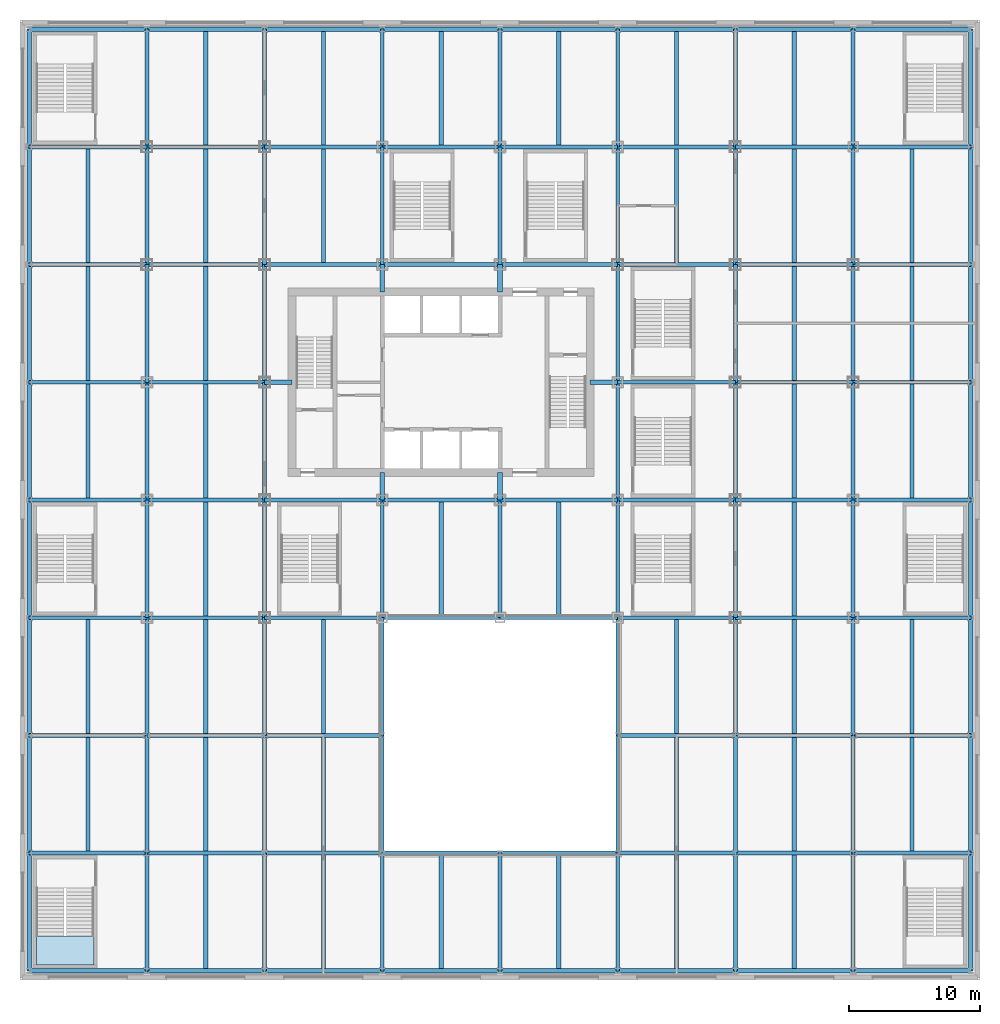
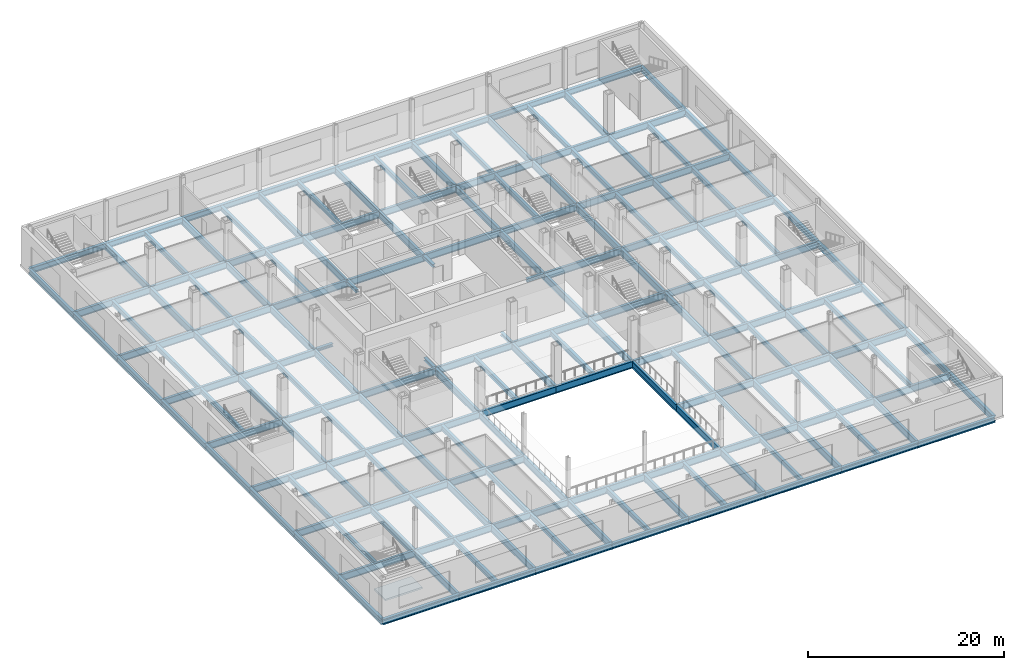
# One storey, part 9 of 31: 175 beams, 6 members, 1 slab, 1 element without a shape of its own.
"""IFC4 building model written with IfcOpenShell, lengths in metres."""

from ifc_helpers import new_model, si_unit, direction, frame, origin, origin_2d, place, context, subcontext, project, spatial, polyline, i_section, outline, extrude, material, layer, layer_set, material_profile, profile_set, type_object, element, aggregate, save


model = new_model("IFC4")

# Units and contexts
model_context = context("Model", 3, precision=1e-05, world=origin(), true_north=direction((0.0, 1.0)))
body_context = subcontext(model_context, "Body", "Model", "MODEL_VIEW")
ifc_project = project(units=[si_unit("LENGTHUNIT", "METRE"), si_unit("AREAUNIT", "SQUARE_METRE"), si_unit("VOLUMEUNIT", "CUBIC_METRE"), si_unit("PLANEANGLEUNIT", "RADIAN"), si_unit("MASSUNIT", "GRAM", prefix="KILO")], contexts=[model_context])

# Site, building, storey
site_placement = place(None, origin())
site = spatial("IfcSite", under=ifc_project, at=site_placement, CompositionType="ELEMENT")
building_placement = place(site_placement, origin())
building = spatial("IfcBuilding", under=site, at=building_placement, Name="Loomwork Tower", CompositionType="ELEMENT")
storey_placement = place(building_placement, frame((0.0, 0.0, 11.0)))
storey = spatial("IfcBuildingStorey", under=building, at=storey_placement, Name="L02", CompositionType="ELEMENT", Elevation=11.0)

# Members
ifc_material_1 = material(Name="Steel ASTM A992", Category="steel")
ifc_material_profile_1 = material_profile(ifc_material_1, i_section(OverallWidth=0.373291015625, OverallDepth=0.373291015625, WebThickness=0.016357421875, FlangeThickness=0.026123046875, at=origin_2d()), Name="W14x132")
ifc_profile_set_1 = profile_set([ifc_material_profile_1], Name="Steel ASTM A992")
member_type = type_object("IfcMemberType", Name="CORE LINK STRUT W14x132", PredefinedType="STRUT", material=ifc_profile_set_1)
for number, where, z_axis, x_axis, name in (
    (1, (36.0, 18.0, -0.436767578125), (-1.0, 0.0, 0.0), (0.0, -1.0, 0.0), "Core link strut F/6-33.900,18.000 L02"),
    (2, (18.0, 9.0, -0.436767578125), (0.0, 1.0, 0.0), (-1.0, 0.0, 0.0), "Core link strut E/4-18.000,11.100 L02"),
    (3, (18.0, 27.0, -0.436767578125), (0.0, -1.0, 0.0), (1.0, 0.0, 0.0), "Core link strut G/4-18.000,24.900 L02"),
    (4, (9.0, 18.0, -0.436767578125), (1.0, 0.0, 0.0), (0.0, 1.0, 0.0), "Core link strut F/3-11.100,18.000 L02"),
    (5, (27.0, 9.0, -0.436767578125), (0.0, 1.0, 0.0), (-1.0, 0.0, 0.0), "Core link strut E/5-27.000,11.100 L02"),
    (6, (27.0, 27.0, -0.436767578125), (0.0, -1.0, 0.0), (1.0, 0.0, 0.0), "Core link strut G/5-27.000,24.900 L02"),
):
    element("IfcMember", number, at=place(storey_placement, frame(where, z_axis=z_axis, x_axis=x_axis)), inside=storey, type_object=member_type, Name=name, PredefinedType="STRUT", context=body_context, shape_type="SweptSolid", body=[
        extrude(i_section(OverallWidth=0.373291015625, OverallDepth=0.373291015625, WebThickness=0.016357421875, FlangeThickness=0.026123046875, at=origin_2d()), origin(), (0.0, 0.0, 1.0), 2.10009765625),
    ])

# Beams
ifc_material_2 = material(Name="Steel ASTM A992", Category="steel")
ifc_material_profile_2 = material_profile(ifc_material_2, i_section(OverallWidth=0.355712890625, OverallDepth=0.696044921875, WebThickness=0.015380859375, FlangeThickness=0.024658203125, at=origin_2d()), Name="W27x146")
ifc_profile_set_2 = profile_set([ifc_material_profile_2], Name="Steel ASTM A992")
beam_type_1 = type_object("IfcBeamType", Name="EDGE GIRDER W27x146", PredefinedType="BEAM", material=ifc_profile_set_2)
for number, where, z_axis, x_axis, name in (
    (7, (-9.0, -27.0, -0.597900390625), (1.0, 0.0, 0.0), (0.0, 1.0, 0.0), "Edge Girder A/1-A/2 L02"),
    (8, (0.0, -27.0, -0.597900390625), (1.0, 0.0, 0.0), (0.0, 1.0, 0.0), "Edge Girder A/2-A/3 L02"),
    (9, (9.0, -27.0, -0.597900390625), (1.0, 0.0, 0.0), (0.0, 1.0, 0.0), "Edge Girder A/3-A/4 L02"),
    (10, (18.0, -27.0, -0.597900390625), (1.0, 0.0, 0.0), (0.0, 1.0, 0.0), "Edge Girder A/4-A/5 L02"),
    (11, (27.0, -27.0, -0.597900390625), (1.0, 0.0, 0.0), (0.0, 1.0, 0.0), "Edge Girder A/5-A/6 L02"),
    (12, (36.0, -27.0, -0.597900390625), (1.0, 0.0, 0.0), (0.0, 1.0, 0.0), "Edge Girder A/6-A/7 L02"),
    (13, (45.0, -27.0, -0.597900390625), (1.0, 0.0, 0.0), (0.0, 1.0, 0.0), "Edge Girder A/7-A/8 L02"),
    (14, (54.0, -27.0, -0.597900390625), (1.0, 0.0, 0.0), (0.0, 1.0, 0.0), "Edge Girder A/8-A/9 L02"),
    (15, (-9.0, 45.0, -0.597900390625), (1.0, 0.0, 0.0), (0.0, 1.0, 0.0), "Edge Girder J/1-J/2 L02"),
    (16, (0.0, 45.0, -0.597900390625), (1.0, 0.0, 0.0), (0.0, 1.0, 0.0), "Edge Girder J/2-J/3 L02"),
    (17, (9.0, 45.0, -0.597900390625), (1.0, 0.0, 0.0), (0.0, 1.0, 0.0), "Edge Girder J/3-J/4 L02"),
    (18, (18.0, 45.0, -0.597900390625), (1.0, 0.0, 0.0), (0.0, 1.0, 0.0), "Edge Girder J/4-J/5 L02"),
    (19, (27.0, 45.0, -0.597900390625), (1.0, 0.0, 0.0), (0.0, 1.0, 0.0), "Edge Girder J/5-J/6 L02"),
    (20, (36.0, 45.0, -0.597900390625), (1.0, 0.0, 0.0), (0.0, 1.0, 0.0), "Edge Girder J/6-J/7 L02"),
    (21, (45.0, 45.0, -0.597900390625), (1.0, 0.0, 0.0), (0.0, 1.0, 0.0), "Edge Girder J/7-J/8 L02"),
    (22, (54.0, 45.0, -0.597900390625), (1.0, 0.0, 0.0), (0.0, 1.0, 0.0), "Edge Girder J/8-J/9 L02"),
    (23, (-9.0, -27.0, -0.597900390625), (0.0, 1.0, 0.0), (-1.0, 0.0, 0.0), "Edge Girder A/1-B/1 L02"),
    (24, (-9.0, -18.0, -0.597900390625), (0.0, 1.0, 0.0), (-1.0, 0.0, 0.0), "Edge Girder B/1-C/1 L02"),
    (25, (-9.0, -9.0, -0.597900390625), (0.0, 1.0, 0.0), (-1.0, 0.0, 0.0), "Edge Girder C/1-D/1 L02"),
    (26, (-9.0, 0.0, -0.597900390625), (0.0, 1.0, 0.0), (-1.0, 0.0, 0.0), "Edge Girder D/1-E/1 L02"),
    (27, (-9.0, 9.0, -0.597900390625), (0.0, 1.0, 0.0), (-1.0, 0.0, 0.0), "Edge Girder E/1-F/1 L02"),
    (28, (-9.0, 18.0, -0.597900390625), (0.0, 1.0, 0.0), (-1.0, 0.0, 0.0), "Edge Girder F/1-G/1 L02"),
    (29, (-9.0, 27.0, -0.597900390625), (0.0, 1.0, 0.0), (-1.0, 0.0, 0.0), "Edge Girder G/1-H/1 L02"),
    (30, (-9.0, 36.0, -0.597900390625), (0.0, 1.0, 0.0), (-1.0, 0.0, 0.0), "Edge Girder H/1-J/1 L02"),
    (31, (63.0, -27.0, -0.597900390625), (0.0, 1.0, 0.0), (-1.0, 0.0, 0.0), "Edge Girder A/9-B/9 L02"),
    (32, (63.0, -18.0, -0.597900390625), (0.0, 1.0, 0.0), (-1.0, 0.0, 0.0), "Edge Girder B/9-C/9 L02"),
    (33, (63.0, -9.0, -0.597900390625), (0.0, 1.0, 0.0), (-1.0, 0.0, 0.0), "Edge Girder C/9-D/9 L02"),
    (34, (63.0, 0.0, -0.597900390625), (0.0, 1.0, 0.0), (-1.0, 0.0, 0.0), "Edge Girder D/9-E/9 L02"),
    (35, (63.0, 9.0, -0.597900390625), (0.0, 1.0, 0.0), (-1.0, 0.0, 0.0), "Edge Girder E/9-F/9 L02"),
    (36, (63.0, 18.0, -0.597900390625), (0.0, 1.0, 0.0), (-1.0, 0.0, 0.0), "Edge Girder F/9-G/9 L02"),
    (37, (63.0, 27.0, -0.597900390625), (0.0, 1.0, 0.0), (-1.0, 0.0, 0.0), "Edge Girder G/9-H/9 L02"),
    (38, (63.0, 36.0, -0.597900390625), (0.0, 1.0, 0.0), (-1.0, 0.0, 0.0), "Edge Girder H/9-J/9 L02"),
):
    element("IfcBeam", number, at=place(storey_placement, frame(where, z_axis=z_axis, x_axis=x_axis)), inside=storey, type_object=beam_type_1, Name=name, PredefinedType="BEAM", context=body_context, shape_type="SweptSolid", body=[
        extrude(i_section(OverallWidth=0.355712890625, OverallDepth=0.696044921875, WebThickness=0.015380859375, FlangeThickness=0.024658203125, at=origin_2d()), origin(), (0.0, 0.0, 1.0), 9.0),
    ])
ifc_material_3 = material(Name="Steel ASTM A992", Category="steel")
ifc_material_profile_3 = material_profile(ifc_material_3, i_section(OverallWidth=0.3251953125, OverallDepth=0.612060546875, WebThickness=0.0126953125, FlangeThickness=0.01904296875, at=origin_2d()), Name="W24x104")
ifc_profile_set_3 = profile_set([ifc_material_profile_3], Name="Steel ASTM A992")
beam_type_2 = type_object("IfcBeamType", Name="FLOOR JOIST W24x104", PredefinedType="JOIST", material=ifc_profile_set_3)
for number, where, z_axis, x_axis, name in (
    (39, (-4.5, -17.85400390625, -0.55615234375), (0.0, 1.0, 0.0), (-1.0, 0.0, 0.0), "Floor Joist -4.500,-18.000--4.500,-9.000 L02"),
    (40, (-4.5, -8.85400390625, -0.55615234375), (0.0, 1.0, 0.0), (-1.0, 0.0, 0.0), "Floor Joist -4.500,-9.000--4.500,0.000 L02"),
    (41, (-4.5, 9.14599609375, -0.55615234375), (0.0, 1.0, 0.0), (-1.0, 0.0, 0.0), "Floor Joist -4.500,9.000--4.500,18.000 L02"),
    (42, (-4.5, 18.14599609375, -0.55615234375), (0.0, 1.0, 0.0), (-1.0, 0.0, 0.0), "Floor Joist -4.500,18.000--4.500,27.000 L02"),
    (43, (-4.5, 27.14599609375, -0.55615234375), (0.0, 1.0, 0.0), (-1.0, 0.0, 0.0), "Floor Joist -4.500,27.000--4.500,36.000 L02"),
):
    element("IfcBeam", number, at=place(storey_placement, frame(where, z_axis=z_axis, x_axis=x_axis)), inside=storey, type_object=beam_type_2, Name=name, PredefinedType="JOIST", context=body_context, shape_type="SweptSolid", body=[
        extrude(i_section(OverallWidth=0.3251953125, OverallDepth=0.612060546875, WebThickness=0.0126953125, FlangeThickness=0.01904296875, at=origin_2d()), origin(), (0.0, 0.0, 1.0), 8.7080078125),
    ])
beam_1_placement = place(storey_placement, frame((4.5, -26.822998046875, -0.55615234375), z_axis=(0.0, 1.0, 0.0), x_axis=(-1.0, 0.0, 0.0)))
element("IfcBeam", 44, at=beam_1_placement, inside=storey, type_object=beam_type_2, Name="Floor Joist 4.500,-27.000-4.500,-18.000 L02", PredefinedType="JOIST", context=body_context, shape_type="SweptSolid", body=[
    extrude(i_section(OverallWidth=0.3251953125, OverallDepth=0.612060546875, WebThickness=0.0126953125, FlangeThickness=0.01904296875, at=origin_2d()), origin(), (0.0, 0.0, 1.0), 8.677001953125),
])
for number, where, z_axis, x_axis, name in (
    (45, (4.5, -17.85400390625, -0.55615234375), (0.0, 1.0, 0.0), (-1.0, 0.0, 0.0), "Floor Joist 4.500,-18.000-4.500,-9.000 L02"),
    (46, (4.5, -8.85400390625, -0.55615234375), (0.0, 1.0, 0.0), (-1.0, 0.0, 0.0), "Floor Joist 4.500,-9.000-4.500,0.000 L02"),
    (47, (4.5, 0.14599609375, -0.55615234375), (0.0, 1.0, 0.0), (-1.0, 0.0, 0.0), "Floor Joist 4.500,0.000-4.500,9.000 L02"),
    (48, (4.5, 9.14599609375, -0.55615234375), (0.0, 1.0, 0.0), (-1.0, 0.0, 0.0), "Floor Joist 4.500,9.000-4.500,18.000 L02"),
    (49, (4.5, 18.14599609375, -0.55615234375), (0.0, 1.0, 0.0), (-1.0, 0.0, 0.0), "Floor Joist 4.500,18.000-4.500,27.000 L02"),
    (50, (4.5, 27.14599609375, -0.55615234375), (0.0, 1.0, 0.0), (-1.0, 0.0, 0.0), "Floor Joist 4.500,27.000-4.500,36.000 L02"),
):
    element("IfcBeam", number, at=place(storey_placement, frame(where, z_axis=z_axis, x_axis=x_axis)), inside=storey, type_object=beam_type_2, Name=name, PredefinedType="JOIST", context=body_context, shape_type="SweptSolid", body=[
        extrude(i_section(OverallWidth=0.3251953125, OverallDepth=0.612060546875, WebThickness=0.0126953125, FlangeThickness=0.01904296875, at=origin_2d()), origin(), (0.0, 0.0, 1.0), 8.7080078125),
    ])
for number, where, z_axis, x_axis, name in (
    (51, (4.5, 36.14599609375, -0.55615234375), (0.0, 1.0, 0.0), (-1.0, 0.0, 0.0), "Floor Joist 4.500,36.000-4.500,45.000 L02"),
    (52, (13.5, -26.822998046875, -0.55615234375), (0.0, 1.0, 0.0), (-1.0, 0.0, 0.0), "Floor Joist 13.500,-27.000-13.500,-18.000 L02"),
):
    element("IfcBeam", number, at=place(storey_placement, frame(where, z_axis=z_axis, x_axis=x_axis)), inside=storey, type_object=beam_type_2, Name=name, PredefinedType="JOIST", context=body_context, shape_type="SweptSolid", body=[
        extrude(i_section(OverallWidth=0.3251953125, OverallDepth=0.612060546875, WebThickness=0.0126953125, FlangeThickness=0.01904296875, at=origin_2d()), origin(), (0.0, 0.0, 1.0), 8.677001953125),
    ])
for number, where, z_axis, x_axis, name in (
    (53, (13.5, -17.85400390625, -0.55615234375), (0.0, 1.0, 0.0), (-1.0, 0.0, 0.0), "Floor Joist 13.500,-18.000-13.500,-9.000 L02"),
    (54, (13.5, -8.85400390625, -0.55615234375), (0.0, 1.0, 0.0), (-1.0, 0.0, 0.0), "Floor Joist 13.500,-9.000-13.500,0.000 L02"),
    (55, (13.5, 27.14599609375, -0.55615234375), (0.0, 1.0, 0.0), (-1.0, 0.0, 0.0), "Floor Joist 13.500,27.000-13.500,36.000 L02"),
):
    element("IfcBeam", number, at=place(storey_placement, frame(where, z_axis=z_axis, x_axis=x_axis)), inside=storey, type_object=beam_type_2, Name=name, PredefinedType="JOIST", context=body_context, shape_type="SweptSolid", body=[
        extrude(i_section(OverallWidth=0.3251953125, OverallDepth=0.612060546875, WebThickness=0.0126953125, FlangeThickness=0.01904296875, at=origin_2d()), origin(), (0.0, 0.0, 1.0), 8.7080078125),
    ])
for number, where, z_axis, x_axis, name in (
    (56, (13.5, 36.14599609375, -0.55615234375), (0.0, 1.0, 0.0), (-1.0, 0.0, 0.0), "Floor Joist 13.500,36.000-13.500,45.000 L02"),
    (57, (22.5, -26.822998046875, -0.55615234375), (0.0, 1.0, 0.0), (-1.0, 0.0, 0.0), "Floor Joist 22.500,-27.000-22.500,-18.000 L02"),
):
    element("IfcBeam", number, at=place(storey_placement, frame(where, z_axis=z_axis, x_axis=x_axis)), inside=storey, type_object=beam_type_2, Name=name, PredefinedType="JOIST", context=body_context, shape_type="SweptSolid", body=[
        extrude(i_section(OverallWidth=0.3251953125, OverallDepth=0.612060546875, WebThickness=0.0126953125, FlangeThickness=0.01904296875, at=origin_2d()), origin(), (0.0, 0.0, 1.0), 8.677001953125),
    ])
beam_2_placement = place(storey_placement, frame((22.5, 0.14599609375, -0.55615234375), z_axis=(0.0, 1.0, 0.0), x_axis=(-1.0, 0.0, 0.0)))
element("IfcBeam", 58, at=beam_2_placement, inside=storey, type_object=beam_type_2, Name="Floor Joist 22.500,0.000-22.500,9.000 L02", PredefinedType="JOIST", context=body_context, shape_type="SweptSolid", body=[
    extrude(i_section(OverallWidth=0.3251953125, OverallDepth=0.612060546875, WebThickness=0.0126953125, FlangeThickness=0.01904296875, at=origin_2d()), origin(), (0.0, 0.0, 1.0), 8.7080078125),
])
for number, where, z_axis, x_axis, name in (
    (59, (22.5, 36.14599609375, -0.55615234375), (0.0, 1.0, 0.0), (-1.0, 0.0, 0.0), "Floor Joist 22.500,36.000-22.500,45.000 L02"),
    (60, (31.5, -26.822998046875, -0.55615234375), (0.0, 1.0, 0.0), (-1.0, 0.0, 0.0), "Floor Joist 31.500,-27.000-31.500,-18.000 L02"),
):
    element("IfcBeam", number, at=place(storey_placement, frame(where, z_axis=z_axis, x_axis=x_axis)), inside=storey, type_object=beam_type_2, Name=name, PredefinedType="JOIST", context=body_context, shape_type="SweptSolid", body=[
        extrude(i_section(OverallWidth=0.3251953125, OverallDepth=0.612060546875, WebThickness=0.0126953125, FlangeThickness=0.01904296875, at=origin_2d()), origin(), (0.0, 0.0, 1.0), 8.677001953125),
    ])
beam_3_placement = place(storey_placement, frame((31.5, 0.14599609375, -0.55615234375), z_axis=(0.0, 1.0, 0.0), x_axis=(-1.0, 0.0, 0.0)))
element("IfcBeam", 61, at=beam_3_placement, inside=storey, type_object=beam_type_2, Name="Floor Joist 31.500,0.000-31.500,9.000 L02", PredefinedType="JOIST", context=body_context, shape_type="SweptSolid", body=[
    extrude(i_section(OverallWidth=0.3251953125, OverallDepth=0.612060546875, WebThickness=0.0126953125, FlangeThickness=0.01904296875, at=origin_2d()), origin(), (0.0, 0.0, 1.0), 8.7080078125),
])
for number, where, z_axis, x_axis, name in (
    (62, (31.5, 36.14599609375, -0.55615234375), (0.0, 1.0, 0.0), (-1.0, 0.0, 0.0), "Floor Joist 31.500,36.000-31.500,45.000 L02"),
    (63, (40.5, -26.822998046875, -0.55615234375), (0.0, 1.0, 0.0), (-1.0, 0.0, 0.0), "Floor Joist 40.500,-27.000-40.500,-18.000 L02"),
):
    element("IfcBeam", number, at=place(storey_placement, frame(where, z_axis=z_axis, x_axis=x_axis)), inside=storey, type_object=beam_type_2, Name=name, PredefinedType="JOIST", context=body_context, shape_type="SweptSolid", body=[
        extrude(i_section(OverallWidth=0.3251953125, OverallDepth=0.612060546875, WebThickness=0.0126953125, FlangeThickness=0.01904296875, at=origin_2d()), origin(), (0.0, 0.0, 1.0), 8.677001953125),
    ])
for number, where, z_axis, x_axis, name in (
    (64, (40.5, -17.85400390625, -0.55615234375), (0.0, 1.0, 0.0), (-1.0, 0.0, 0.0), "Floor Joist 40.500,-18.000-40.500,-9.000 L02"),
    (65, (40.5, -8.85400390625, -0.55615234375), (0.0, 1.0, 0.0), (-1.0, 0.0, 0.0), "Floor Joist 40.500,-9.000-40.500,0.000 L02"),
    (66, (40.5, 27.14599609375, -0.55615234375), (0.0, 1.0, 0.0), (-1.0, 0.0, 0.0), "Floor Joist 40.500,27.000-40.500,36.000 L02"),
):
    element("IfcBeam", number, at=place(storey_placement, frame(where, z_axis=z_axis, x_axis=x_axis)), inside=storey, type_object=beam_type_2, Name=name, PredefinedType="JOIST", context=body_context, shape_type="SweptSolid", body=[
        extrude(i_section(OverallWidth=0.3251953125, OverallDepth=0.612060546875, WebThickness=0.0126953125, FlangeThickness=0.01904296875, at=origin_2d()), origin(), (0.0, 0.0, 1.0), 8.7080078125),
    ])
for number, where, z_axis, x_axis, name in (
    (67, (40.5, 36.14599609375, -0.55615234375), (0.0, 1.0, 0.0), (-1.0, 0.0, 0.0), "Floor Joist 40.500,36.000-40.500,45.000 L02"),
    (68, (49.5, -26.822998046875, -0.55615234375), (0.0, 1.0, 0.0), (-1.0, 0.0, 0.0), "Floor Joist 49.500,-27.000-49.500,-18.000 L02"),
):
    element("IfcBeam", number, at=place(storey_placement, frame(where, z_axis=z_axis, x_axis=x_axis)), inside=storey, type_object=beam_type_2, Name=name, PredefinedType="JOIST", context=body_context, shape_type="SweptSolid", body=[
        extrude(i_section(OverallWidth=0.3251953125, OverallDepth=0.612060546875, WebThickness=0.0126953125, FlangeThickness=0.01904296875, at=origin_2d()), origin(), (0.0, 0.0, 1.0), 8.677001953125),
    ])
for number, where, z_axis, x_axis, name in (
    (69, (49.5, -17.85400390625, -0.55615234375), (0.0, 1.0, 0.0), (-1.0, 0.0, 0.0), "Floor Joist 49.500,-18.000-49.500,-9.000 L02"),
    (70, (49.5, -8.85400390625, -0.55615234375), (0.0, 1.0, 0.0), (-1.0, 0.0, 0.0), "Floor Joist 49.500,-9.000-49.500,0.000 L02"),
    (71, (49.5, 0.14599609375, -0.55615234375), (0.0, 1.0, 0.0), (-1.0, 0.0, 0.0), "Floor Joist 49.500,0.000-49.500,9.000 L02"),
    (72, (49.5, 9.14599609375, -0.55615234375), (0.0, 1.0, 0.0), (-1.0, 0.0, 0.0), "Floor Joist 49.500,9.000-49.500,18.000 L02"),
    (73, (49.5, 18.14599609375, -0.55615234375), (0.0, 1.0, 0.0), (-1.0, 0.0, 0.0), "Floor Joist 49.500,18.000-49.500,27.000 L02"),
    (74, (49.5, 27.14599609375, -0.55615234375), (0.0, 1.0, 0.0), (-1.0, 0.0, 0.0), "Floor Joist 49.500,27.000-49.500,36.000 L02"),
):
    element("IfcBeam", number, at=place(storey_placement, frame(where, z_axis=z_axis, x_axis=x_axis)), inside=storey, type_object=beam_type_2, Name=name, PredefinedType="JOIST", context=body_context, shape_type="SweptSolid", body=[
        extrude(i_section(OverallWidth=0.3251953125, OverallDepth=0.612060546875, WebThickness=0.0126953125, FlangeThickness=0.01904296875, at=origin_2d()), origin(), (0.0, 0.0, 1.0), 8.7080078125),
    ])
beam_4_placement = place(storey_placement, frame((49.5, 36.14599609375, -0.55615234375), z_axis=(0.0, 1.0, 0.0), x_axis=(-1.0, 0.0, 0.0)))
element("IfcBeam", 75, at=beam_4_placement, inside=storey, type_object=beam_type_2, Name="Floor Joist 49.500,36.000-49.500,45.000 L02", PredefinedType="JOIST", context=body_context, shape_type="SweptSolid", body=[
    extrude(i_section(OverallWidth=0.3251953125, OverallDepth=0.612060546875, WebThickness=0.0126953125, FlangeThickness=0.01904296875, at=origin_2d()), origin(), (0.0, 0.0, 1.0), 8.677001953125),
])
for number, where, z_axis, x_axis, name in (
    (76, (58.5, -17.85400390625, -0.55615234375), (0.0, 1.0, 0.0), (-1.0, 0.0, 0.0), "Floor Joist 58.500,-18.000-58.500,-9.000 L02"),
    (77, (58.5, -8.85400390625, -0.55615234375), (0.0, 1.0, 0.0), (-1.0, 0.0, 0.0), "Floor Joist 58.500,-9.000-58.500,0.000 L02"),
    (78, (58.5, 9.14599609375, -0.55615234375), (0.0, 1.0, 0.0), (-1.0, 0.0, 0.0), "Floor Joist 58.500,9.000-58.500,18.000 L02"),
    (79, (58.5, 18.14599609375, -0.55615234375), (0.0, 1.0, 0.0), (-1.0, 0.0, 0.0), "Floor Joist 58.500,18.000-58.500,27.000 L02"),
    (80, (58.5, 27.14599609375, -0.55615234375), (0.0, 1.0, 0.0), (-1.0, 0.0, 0.0), "Floor Joist 58.500,27.000-58.500,36.000 L02"),
):
    element("IfcBeam", number, at=place(storey_placement, frame(where, z_axis=z_axis, x_axis=x_axis)), inside=storey, type_object=beam_type_2, Name=name, PredefinedType="JOIST", context=body_context, shape_type="SweptSolid", body=[
        extrude(i_section(OverallWidth=0.3251953125, OverallDepth=0.612060546875, WebThickness=0.0126953125, FlangeThickness=0.01904296875, at=origin_2d()), origin(), (0.0, 0.0, 1.0), 8.7080078125),
    ])
ifc_material_4 = material(Name="Steel ASTM A992", Category="steel")
ifc_material_profile_4 = material_profile(ifc_material_4, i_section(OverallWidth=0.2919921875, OverallDepth=0.8583984375, WebThickness=0.01708984375, FlangeThickness=0.031005859375, at=origin_2d()), Name="W33x169")
ifc_profile_set_4 = profile_set([ifc_material_profile_4], Name="Steel ASTM A992")
beam_type_3 = type_object("IfcBeamType", Name="PODIUM GIRDER W33x169", PredefinedType="BEAM", material=ifc_profile_set_4)
for number, where, z_axis, x_axis, name in (
    (81, (-9.0, -18.0, -0.67919921875), (1.0, 0.0, 0.0), (0.0, 1.0, 0.0), "Podium Girder B/1-B/2 L02"),
    (82, (0.0, -18.0, -0.67919921875), (1.0, 0.0, 0.0), (0.0, 1.0, 0.0), "Podium Girder B/2-B/3 L02"),
    (83, (9.0, -18.0, -0.67919921875), (1.0, 0.0, 0.0), (0.0, 1.0, 0.0), "Podium Girder B/3-B/4 L02"),
    (84, (18.0, -18.0, -0.67919921875), (1.0, 0.0, 0.0), (0.0, 1.0, 0.0), "Podium Girder B/4-B/5 L02"),
    (85, (27.0, -18.0, -0.67919921875), (1.0, 0.0, 0.0), (0.0, 1.0, 0.0), "Podium Girder B/5-B/6 L02"),
    (86, (36.0, -18.0, -0.67919921875), (1.0, 0.0, 0.0), (0.0, 1.0, 0.0), "Podium Girder B/6-B/7 L02"),
    (87, (45.0, -18.0, -0.67919921875), (1.0, 0.0, 0.0), (0.0, 1.0, 0.0), "Podium Girder B/7-B/8 L02"),
    (88, (54.0, -18.0, -0.67919921875), (1.0, 0.0, 0.0), (0.0, 1.0, 0.0), "Podium Girder B/8-B/9 L02"),
    (89, (-9.0, -9.0, -0.67919921875), (1.0, 0.0, 0.0), (0.0, 1.0, 0.0), "Podium Girder C/1-C/2 L02"),
    (90, (0.0, -9.0, -0.67919921875), (1.0, 0.0, 0.0), (0.0, 1.0, 0.0), "Podium Girder C/2-C/3 L02"),
    (91, (9.0, -9.0, -0.67919921875), (1.0, 0.0, 0.0), (0.0, 1.0, 0.0), "Podium Girder C/3-C/4 L02"),
    (92, (36.0, -9.0, -0.67919921875), (1.0, 0.0, 0.0), (0.0, 1.0, 0.0), "Podium Girder C/6-C/7 L02"),
    (93, (45.0, -9.0, -0.67919921875), (1.0, 0.0, 0.0), (0.0, 1.0, 0.0), "Podium Girder C/7-C/8 L02"),
    (94, (54.0, -9.0, -0.67919921875), (1.0, 0.0, 0.0), (0.0, 1.0, 0.0), "Podium Girder C/8-C/9 L02"),
    (95, (-9.0, 0.0, -0.67919921875), (1.0, 0.0, 0.0), (0.0, 1.0, 0.0), "Podium Girder D/1-D/2 L02"),
    (96, (0.0, 0.0, -0.67919921875), (1.0, 0.0, 0.0), (0.0, 1.0, 0.0), "Podium Girder D/2-D/3 L02"),
    (97, (9.0, 0.0, -0.67919921875), (1.0, 0.0, 0.0), (0.0, 1.0, 0.0), "Podium Girder D/3-D/4 L02"),
    (98, (18.0, 0.0, -0.67919921875), (1.0, 0.0, 0.0), (0.0, 1.0, 0.0), "Podium Girder D/4-D/5 L02"),
    (99, (27.0, 0.0, -0.67919921875), (1.0, 0.0, 0.0), (0.0, 1.0, 0.0), "Podium Girder D/5-D/6 L02"),
    (100, (36.0, 0.0, -0.67919921875), (1.0, 0.0, 0.0), (0.0, 1.0, 0.0), "Podium Girder D/6-D/7 L02"),
    (101, (45.0, 0.0, -0.67919921875), (1.0, 0.0, 0.0), (0.0, 1.0, 0.0), "Podium Girder D/7-D/8 L02"),
    (102, (54.0, 0.0, -0.67919921875), (1.0, 0.0, 0.0), (0.0, 1.0, 0.0), "Podium Girder D/8-D/9 L02"),
    (103, (-9.0, 9.0, -0.67919921875), (1.0, 0.0, 0.0), (0.0, 1.0, 0.0), "Podium Girder E/1-E/2 L02"),
    (104, (0.0, 9.0, -0.67919921875), (1.0, 0.0, 0.0), (0.0, 1.0, 0.0), "Podium Girder E/2-E/3 L02"),
    (105, (9.0, 9.0, -0.67919921875), (1.0, 0.0, 0.0), (0.0, 1.0, 0.0), "Podium Girder E/3-E/4 L02"),
    (106, (18.0, 9.0, -0.67919921875), (1.0, 0.0, 0.0), (0.0, 1.0, 0.0), "Podium Girder E/4-E/5 L02"),
    (107, (27.0, 9.0, -0.67919921875), (1.0, 0.0, 0.0), (0.0, 1.0, 0.0), "Podium Girder E/5-E/6 L02"),
    (108, (36.0, 9.0, -0.67919921875), (1.0, 0.0, 0.0), (0.0, 1.0, 0.0), "Podium Girder E/6-E/7 L02"),
    (109, (45.0, 9.0, -0.67919921875), (1.0, 0.0, 0.0), (0.0, 1.0, 0.0), "Podium Girder E/7-E/8 L02"),
    (110, (54.0, 9.0, -0.67919921875), (1.0, 0.0, 0.0), (0.0, 1.0, 0.0), "Podium Girder E/8-E/9 L02"),
    (111, (-9.0, 18.0, -0.67919921875), (1.0, 0.0, 0.0), (0.0, 1.0, 0.0), "Podium Girder F/1-F/2 L02"),
    (112, (0.0, 18.0, -0.67919921875), (1.0, 0.0, 0.0), (0.0, 1.0, 0.0), "Podium Girder F/2-F/3 L02"),
    (113, (36.0, 18.0, -0.67919921875), (1.0, 0.0, 0.0), (0.0, 1.0, 0.0), "Podium Girder F/6-F/7 L02"),
    (114, (45.0, 18.0, -0.67919921875), (1.0, 0.0, 0.0), (0.0, 1.0, 0.0), "Podium Girder F/7-F/8 L02"),
    (115, (54.0, 18.0, -0.67919921875), (1.0, 0.0, 0.0), (0.0, 1.0, 0.0), "Podium Girder F/8-F/9 L02"),
    (116, (-9.0, 27.0, -0.67919921875), (1.0, 0.0, 0.0), (0.0, 1.0, 0.0), "Podium Girder G/1-G/2 L02"),
    (117, (0.0, 27.0, -0.67919921875), (1.0, 0.0, 0.0), (0.0, 1.0, 0.0), "Podium Girder G/2-G/3 L02"),
    (118, (9.0, 27.0, -0.67919921875), (1.0, 0.0, 0.0), (0.0, 1.0, 0.0), "Podium Girder G/3-G/4 L02"),
    (119, (18.0, 27.0, -0.67919921875), (1.0, 0.0, 0.0), (0.0, 1.0, 0.0), "Podium Girder G/4-G/5 L02"),
    (120, (27.0, 27.0, -0.67919921875), (1.0, 0.0, 0.0), (0.0, 1.0, 0.0), "Podium Girder G/5-G/6 L02"),
    (121, (36.0, 27.0, -0.67919921875), (1.0, 0.0, 0.0), (0.0, 1.0, 0.0), "Podium Girder G/6-G/7 L02"),
    (122, (45.0, 27.0, -0.67919921875), (1.0, 0.0, 0.0), (0.0, 1.0, 0.0), "Podium Girder G/7-G/8 L02"),
    (123, (54.0, 27.0, -0.67919921875), (1.0, 0.0, 0.0), (0.0, 1.0, 0.0), "Podium Girder G/8-G/9 L02"),
    (124, (-9.0, 36.0, -0.67919921875), (1.0, 0.0, 0.0), (0.0, 1.0, 0.0), "Podium Girder H/1-H/2 L02"),
    (125, (0.0, 36.0, -0.67919921875), (1.0, 0.0, 0.0), (0.0, 1.0, 0.0), "Podium Girder H/2-H/3 L02"),
    (126, (9.0, 36.0, -0.67919921875), (1.0, 0.0, 0.0), (0.0, 1.0, 0.0), "Podium Girder H/3-H/4 L02"),
    (127, (18.0, 36.0, -0.67919921875), (1.0, 0.0, 0.0), (0.0, 1.0, 0.0), "Podium Girder H/4-H/5 L02"),
    (128, (27.0, 36.0, -0.67919921875), (1.0, 0.0, 0.0), (0.0, 1.0, 0.0), "Podium Girder H/5-H/6 L02"),
    (129, (36.0, 36.0, -0.67919921875), (1.0, 0.0, 0.0), (0.0, 1.0, 0.0), "Podium Girder H/6-H/7 L02"),
    (130, (45.0, 36.0, -0.67919921875), (1.0, 0.0, 0.0), (0.0, 1.0, 0.0), "Podium Girder H/7-H/8 L02"),
    (131, (54.0, 36.0, -0.67919921875), (1.0, 0.0, 0.0), (0.0, 1.0, 0.0), "Podium Girder H/8-H/9 L02"),
    (132, (0.0, -27.0, -0.67919921875), (0.0, 1.0, 0.0), (-1.0, 0.0, 0.0), "Podium Girder A/2-B/2 L02"),
    (133, (0.0, -18.0, -0.67919921875), (0.0, 1.0, 0.0), (-1.0, 0.0, 0.0), "Podium Girder B/2-C/2 L02"),
    (134, (0.0, -9.0, -0.67919921875), (0.0, 1.0, 0.0), (-1.0, 0.0, 0.0), "Podium Girder C/2-D/2 L02"),
    (135, (0.0, 0.0, -0.67919921875), (0.0, 1.0, 0.0), (-1.0, 0.0, 0.0), "Podium Girder D/2-E/2 L02"),
    (136, (0.0, 9.0, -0.67919921875), (0.0, 1.0, 0.0), (-1.0, 0.0, 0.0), "Podium Girder E/2-F/2 L02"),
    (137, (0.0, 18.0, -0.67919921875), (0.0, 1.0, 0.0), (-1.0, 0.0, 0.0), "Podium Girder F/2-G/2 L02"),
    (138, (0.0, 27.0, -0.67919921875), (0.0, 1.0, 0.0), (-1.0, 0.0, 0.0), "Podium Girder G/2-H/2 L02"),
    (139, (0.0, 36.0, -0.67919921875), (0.0, 1.0, 0.0), (-1.0, 0.0, 0.0), "Podium Girder H/2-J/2 L02"),
    (140, (9.0, -27.0, -0.67919921875), (0.0, 1.0, 0.0), (-1.0, 0.0, 0.0), "Podium Girder A/3-B/3 L02"),
    (141, (9.0, -18.0, -0.67919921875), (0.0, 1.0, 0.0), (-1.0, 0.0, 0.0), "Podium Girder B/3-C/3 L02"),
    (142, (9.0, -9.0, -0.67919921875), (0.0, 1.0, 0.0), (-1.0, 0.0, 0.0), "Podium Girder C/3-D/3 L02"),
    (143, (9.0, 0.0, -0.67919921875), (0.0, 1.0, 0.0), (-1.0, 0.0, 0.0), "Podium Girder D/3-E/3 L02"),
    (144, (9.0, 9.0, -0.67919921875), (0.0, 1.0, 0.0), (-1.0, 0.0, 0.0), "Podium Girder E/3-F/3 L02"),
    (145, (9.0, 18.0, -0.67919921875), (0.0, 1.0, 0.0), (-1.0, 0.0, 0.0), "Podium Girder F/3-G/3 L02"),
    (146, (9.0, 27.0, -0.67919921875), (0.0, 1.0, 0.0), (-1.0, 0.0, 0.0), "Podium Girder G/3-H/3 L02"),
    (147, (9.0, 36.0, -0.67919921875), (0.0, 1.0, 0.0), (-1.0, 0.0, 0.0), "Podium Girder H/3-J/3 L02"),
    (148, (18.0, -27.0, -0.67919921875), (0.0, 1.0, 0.0), (-1.0, 0.0, 0.0), "Podium Girder A/4-B/4 L02"),
    (149, (18.0, -18.0, -0.67919921875), (0.0, 1.0, 0.0), (-1.0, 0.0, 0.0), "Podium Girder B/4-C/4 L02"),
    (150, (18.0, -9.0, -0.67919921875), (0.0, 1.0, 0.0), (-1.0, 0.0, 0.0), "Podium Girder C/4-D/4 L02"),
    (151, (18.0, 0.0, -0.67919921875), (0.0, 1.0, 0.0), (-1.0, 0.0, 0.0), "Podium Girder D/4-E/4 L02"),
    (152, (18.0, 27.0, -0.67919921875), (0.0, 1.0, 0.0), (-1.0, 0.0, 0.0), "Podium Girder G/4-H/4 L02"),
    (153, (18.0, 36.0, -0.67919921875), (0.0, 1.0, 0.0), (-1.0, 0.0, 0.0), "Podium Girder H/4-J/4 L02"),
    (154, (27.0, -27.0, -0.67919921875), (0.0, 1.0, 0.0), (-1.0, 0.0, 0.0), "Podium Girder A/5-B/5 L02"),
    (155, (27.0, 0.0, -0.67919921875), (0.0, 1.0, 0.0), (-1.0, 0.0, 0.0), "Podium Girder D/5-E/5 L02"),
    (156, (27.0, 27.0, -0.67919921875), (0.0, 1.0, 0.0), (-1.0, 0.0, 0.0), "Podium Girder G/5-H/5 L02"),
    (157, (27.0, 36.0, -0.67919921875), (0.0, 1.0, 0.0), (-1.0, 0.0, 0.0), "Podium Girder H/5-J/5 L02"),
    (158, (36.0, -27.0, -0.67919921875), (0.0, 1.0, 0.0), (-1.0, 0.0, 0.0), "Podium Girder A/6-B/6 L02"),
    (159, (36.0, -18.0, -0.67919921875), (0.0, 1.0, 0.0), (-1.0, 0.0, 0.0), "Podium Girder B/6-C/6 L02"),
    (160, (36.0, -9.0, -0.67919921875), (0.0, 1.0, 0.0), (-1.0, 0.0, 0.0), "Podium Girder C/6-D/6 L02"),
    (161, (36.0, 0.0, -0.67919921875), (0.0, 1.0, 0.0), (-1.0, 0.0, 0.0), "Podium Girder D/6-E/6 L02"),
    (162, (36.0, 9.0, -0.67919921875), (0.0, 1.0, 0.0), (-1.0, 0.0, 0.0), "Podium Girder E/6-F/6 L02"),
    (163, (36.0, 18.0, -0.67919921875), (0.0, 1.0, 0.0), (-1.0, 0.0, 0.0), "Podium Girder F/6-G/6 L02"),
    (164, (36.0, 27.0, -0.67919921875), (0.0, 1.0, 0.0), (-1.0, 0.0, 0.0), "Podium Girder G/6-H/6 L02"),
    (165, (36.0, 36.0, -0.67919921875), (0.0, 1.0, 0.0), (-1.0, 0.0, 0.0), "Podium Girder H/6-J/6 L02"),
    (166, (45.0, -27.0, -0.67919921875), (0.0, 1.0, 0.0), (-1.0, 0.0, 0.0), "Podium Girder A/7-B/7 L02"),
    (167, (45.0, -18.0, -0.67919921875), (0.0, 1.0, 0.0), (-1.0, 0.0, 0.0), "Podium Girder B/7-C/7 L02"),
    (168, (45.0, -9.0, -0.67919921875), (0.0, 1.0, 0.0), (-1.0, 0.0, 0.0), "Podium Girder C/7-D/7 L02"),
    (169, (45.0, 0.0, -0.67919921875), (0.0, 1.0, 0.0), (-1.0, 0.0, 0.0), "Podium Girder D/7-E/7 L02"),
    (170, (45.0, 9.0, -0.67919921875), (0.0, 1.0, 0.0), (-1.0, 0.0, 0.0), "Podium Girder E/7-F/7 L02"),
    (171, (45.0, 18.0, -0.67919921875), (0.0, 1.0, 0.0), (-1.0, 0.0, 0.0), "Podium Girder F/7-G/7 L02"),
    (172, (45.0, 27.0, -0.67919921875), (0.0, 1.0, 0.0), (-1.0, 0.0, 0.0), "Podium Girder G/7-H/7 L02"),
    (173, (45.0, 36.0, -0.67919921875), (0.0, 1.0, 0.0), (-1.0, 0.0, 0.0), "Podium Girder H/7-J/7 L02"),
    (174, (54.0, -27.0, -0.67919921875), (0.0, 1.0, 0.0), (-1.0, 0.0, 0.0), "Podium Girder A/8-B/8 L02"),
    (175, (54.0, -18.0, -0.67919921875), (0.0, 1.0, 0.0), (-1.0, 0.0, 0.0), "Podium Girder B/8-C/8 L02"),
    (176, (54.0, -9.0, -0.67919921875), (0.0, 1.0, 0.0), (-1.0, 0.0, 0.0), "Podium Girder C/8-D/8 L02"),
    (177, (54.0, 0.0, -0.67919921875), (0.0, 1.0, 0.0), (-1.0, 0.0, 0.0), "Podium Girder D/8-E/8 L02"),
    (178, (54.0, 9.0, -0.67919921875), (0.0, 1.0, 0.0), (-1.0, 0.0, 0.0), "Podium Girder E/8-F/8 L02"),
    (179, (54.0, 18.0, -0.67919921875), (0.0, 1.0, 0.0), (-1.0, 0.0, 0.0), "Podium Girder F/8-G/8 L02"),
    (180, (54.0, 27.0, -0.67919921875), (0.0, 1.0, 0.0), (-1.0, 0.0, 0.0), "Podium Girder G/8-H/8 L02"),
    (181, (54.0, 36.0, -0.67919921875), (0.0, 1.0, 0.0), (-1.0, 0.0, 0.0), "Podium Girder H/8-J/8 L02"),
):
    element("IfcBeam", number, at=place(storey_placement, frame(where, z_axis=z_axis, x_axis=x_axis)), inside=storey, type_object=beam_type_3, Name=name, PredefinedType="BEAM", context=body_context, shape_type="SweptSolid", body=[
        extrude(i_section(OverallWidth=0.2919921875, OverallDepth=0.8583984375, WebThickness=0.01708984375, FlangeThickness=0.031005859375, at=origin_2d()), origin(), (0.0, 0.0, 1.0), 9.0),
    ])

# Stair, slab
ifc_material_5 = material(Name="Concrete 5000 psi (34 MPa) precast stair", Category="concrete")
stair_type = type_object("IfcStairType", Name="Stair ST-S1P 42 risers of 119 4400 wide", PredefinedType="HALF_TURN_STAIR", material=ifc_material_5)
stair_placement = place(storey_placement, origin())
stair = element("IfcStair", 182, at=stair_placement, inside=storey, type_object=stair_type, Name="Podium stair PS1 L02", PredefinedType="HALF_TURN_STAIR")
ifc_material_6 = material(Name="Concrete 5000 psi (34 MPa)", Category="concrete")
ifc_layer = layer(ifc_material_6, 0.199951171875)
ifc_layer_set = layer_set([ifc_layer], Name="Stair landing 200")
slab_type = type_object("IfcSlabType", Name="Stair landing 200", PredefinedType="LANDING", material=ifc_layer_set)
slab_placement = place(storey_placement, frame((0.0, 0.0, 1.466796875)))
slab = element("IfcSlab", 183, at=slab_placement, type_object=slab_type, Name="ST-S1P landing 2", PredefinedType="LANDING", context=body_context, shape_type="SweptSolid", body=[
    extrude(outline(polyline([(-8.449951171875, -26.550048828125), (-4.050048828125, -26.550048828125), (-4.050048828125, -24.320068359375), (-8.449951171875, -24.320068359375), (-8.449951171875, -26.550048828125)])), origin(), (0.0, 0.0, 1.0), 0.199951171875),
])
aggregate(stair, [slab])

save(model, "model.ifc")
